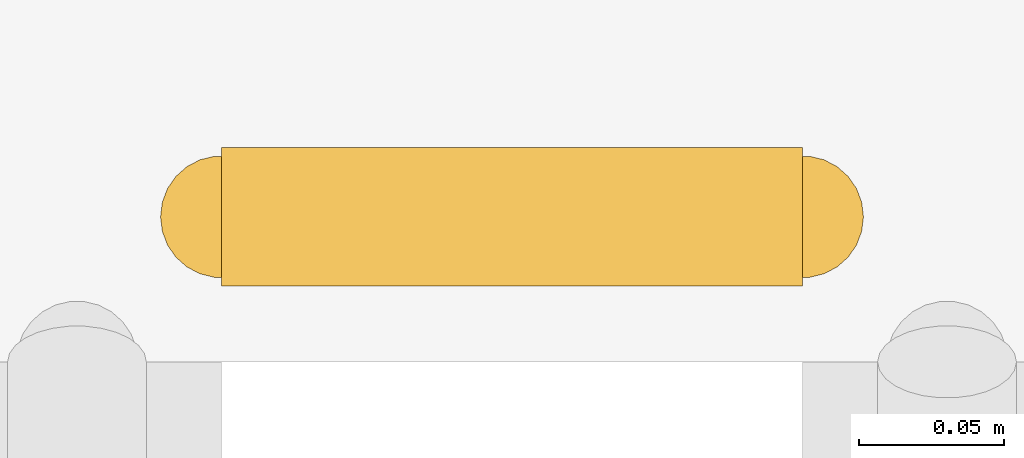
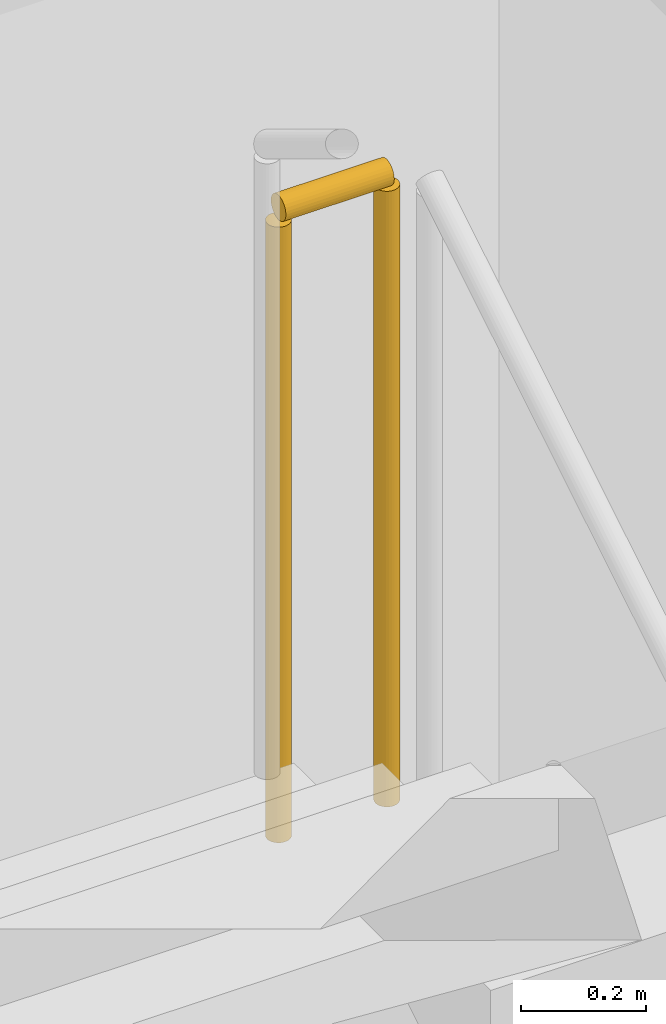
# One storey, part 10 of 10: 1 railing.
"""IFC4 building model written with IfcOpenShell, lengths in metres."""

from ifc_helpers import new_model, si_unit, direction, frame, origin, origin_2d, place, context, subcontext, project, spatial, circle, extrude, material, type_object, element, save


model = new_model("IFC4")

# Units and contexts
model_context = context("Model", 3, precision=1e-05, world=origin(), true_north=direction((0.0, 1.0)))
body_context = subcontext(model_context, "Body", "Model", "MODEL_VIEW")
ifc_project = project(units=[si_unit("LENGTHUNIT", "METRE"), si_unit("AREAUNIT", "SQUARE_METRE"), si_unit("VOLUMEUNIT", "CUBIC_METRE"), si_unit("PLANEANGLEUNIT", "RADIAN"), si_unit("MASSUNIT", "GRAM", prefix="KILO")], contexts=[model_context])

# Site, building, storey
site_placement = place(None, origin())
site = spatial("IfcSite", under=ifc_project, at=site_placement, CompositionType="ELEMENT")
building_placement = place(site_placement, origin())
building = spatial("IfcBuilding", under=site, at=building_placement, Name="Ochreholt Gables", CompositionType="ELEMENT")
storey_placement = place(building_placement, frame((0.0, 0.0, 14.39990234375)))
storey = spatial("IfcBuildingStorey", under=building, at=storey_placement, Name="L03", CompositionType="ELEMENT", Elevation=14.39990234375)

# Railing
ifc_material = material(Name="Painted Steel Stair Guardrail", Category="steel")
railing_type = type_object("IfcRailingType", Name="RL-ST-GUARD", PredefinedType="GUARDRAIL", material=ifc_material)
railing_placement = place(storey_placement, frame((26.60009765625, 36.176025390625, 2.400146484375)))
element("IfcRailing", 1, at=railing_placement, inside=storey, type_object=railing_type, Name="L03 ST-2 stair guard 2", PredefinedType="GUARDRAIL", context=body_context, shape_type="SweptSolid", body=[
    extrude(circle(Radius=0.02392578125, at=origin_2d()), frame((0.0, 0.0, 1.22607421875), z_axis=(-1.0, 0.0, 0.0), x_axis=(0.0, -1.0, 0.0)), (0.0, 0.0, 1.0), 0.2001953125),
    extrude(circle(Radius=0.02099609375, at=origin_2d()), origin(), (0.0, 0.0, 1.0), 1.201904296875),
    extrude(circle(Radius=0.02099609375, at=origin_2d()), frame((-0.2001953125, 0.0, 0.0)), (0.0, 0.0, 1.0), 1.201904296875),
])

save(model, "model.ifc")
